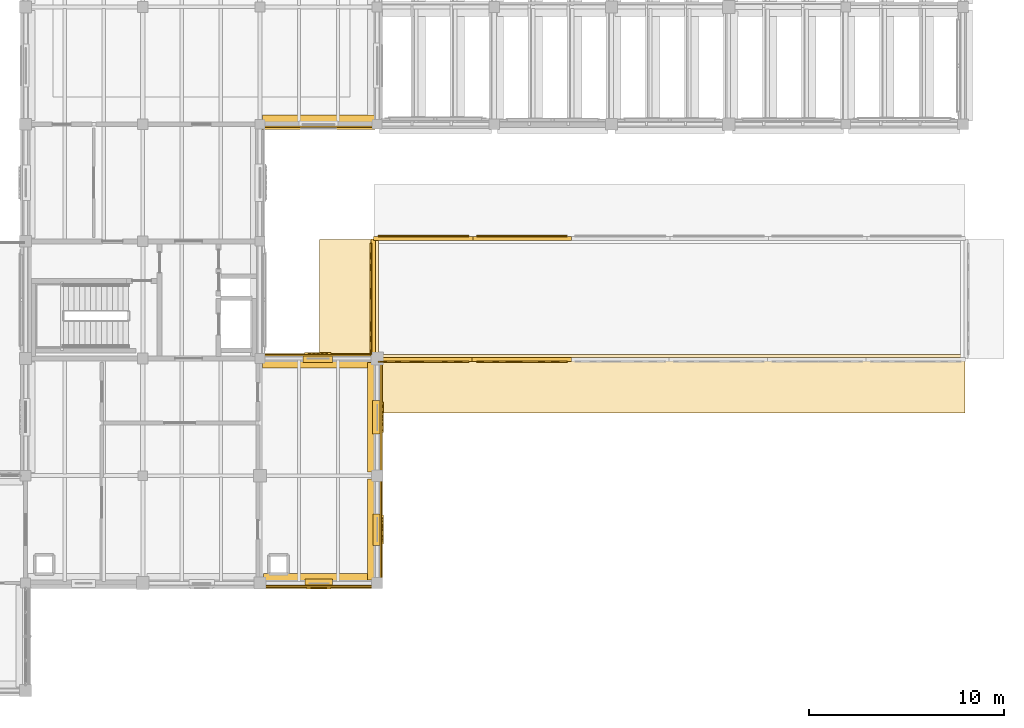
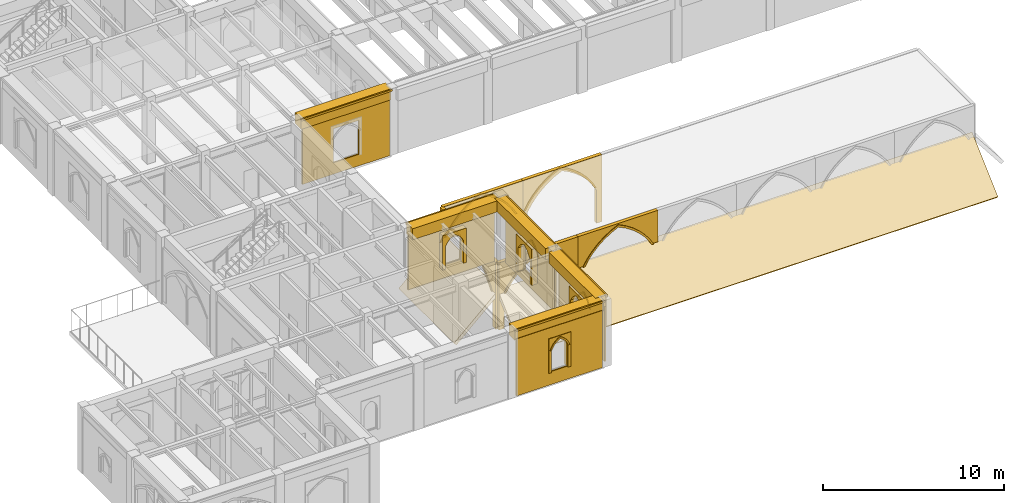
# One storey, part 121 of 127: 35 coverings.
"""IFC4 building model written with IfcOpenShell, lengths in metres."""

from ifc_helpers import new_model, si_unit, direction, frame, origin, origin_2d, place, context, subcontext, project, spatial, polyline, rectangle, outline, extrude, material, type_object, element, save


model = new_model("IFC4")

# Units and contexts
model_context = context("Model", 3, precision=1e-05, world=origin(), true_north=direction((0.0, 1.0)))
body_context = subcontext(model_context, "Body", "Model", "MODEL_VIEW")
ifc_project = project(units=[si_unit("LENGTHUNIT", "METRE"), si_unit("AREAUNIT", "SQUARE_METRE"), si_unit("VOLUMEUNIT", "CUBIC_METRE"), si_unit("PLANEANGLEUNIT", "RADIAN"), si_unit("MASSUNIT", "GRAM", prefix="KILO")], contexts=[model_context])

# Site, building, storey
site_placement = place(None, origin())
site = spatial("IfcSite", under=ifc_project, at=site_placement, CompositionType="ELEMENT")
building_placement = place(site_placement, origin())
building = spatial("IfcBuilding", under=site, at=building_placement, Name="Cumevento Cable Car Station", CompositionType="ELEMENT")
storey_placement = place(building_placement, frame((0.0, 0.0, 4.5)))
storey = spatial("IfcBuildingStorey", under=building, at=storey_placement, Name="L02", CompositionType="ELEMENT", Elevation=4.5)

# Coverings
ifc_material = material(Name="Gnaisse Facoidal Stone Ashlar 85 MPa", Category="masonry")
covering_type = type_object("IfcCoveringType", Name="Gnaisse Ashlar Cladding CV-CL01", PredefinedType="CLADDING", material=ifc_material)
covering_1_placement = place(storey_placement, frame((133.012451171875, 9.64990234375, 3.7490234375), z_axis=(0.0, 0.0, 1.0), x_axis=(-1.0, 0.0, 0.0)))
element("IfcCovering", 1, at=covering_1_placement, inside=storey, type_object=covering_type, Name="Gothic Stone Spandrel Stringcourse sc:0440", PredefinedType="CLADDING", context=body_context, shape_type="SweptSolid", body=[
    extrude(rectangle(XDim=5.6650390625, YDim=0.659912109375, at=origin_2d()), origin(), (0.0, 0.0, 1.0), 0.7470703125),
])
covering_2_placement = place(storey_placement, frame((133.012451171875, 9.29248046875, 4.365966796875), z_axis=(0.0, 0.0, 1.0), x_axis=(-1.0, 0.0, 0.0)))
element("IfcCovering", 2, at=covering_2_placement, inside=storey, type_object=covering_type, Name="Gothic Cornice Dripstone Lip sc:0440", PredefinedType="CLADDING", context=body_context, shape_type="SweptSolid", body=[
    extrude(rectangle(XDim=5.705078125, YDim=0.114990234375, at=origin_2d()), origin(), (0.0, 0.0, 1.0), 0.1298828125),
])
covering_3_placement = place(storey_placement, frame((132.96240234375, 20.85009765625, 3.737060546875), z_axis=(0.0, 0.0, 1.0), x_axis=(1.0, 0.0, 0.0)))
element("IfcCovering", 3, at=covering_3_placement, inside=storey, type_object=covering_type, Name="Gothic Stone Spandrel Stringcourse sc:0441", PredefinedType="CLADDING", context=body_context, shape_type="SweptSolid", body=[
    extrude(rectangle(XDim=5.6650390625, YDim=0.659912109375, at=origin_2d()), origin(), (0.0, 0.0, 1.0), 0.7470703125),
])
covering_4_placement = place(storey_placement, frame((132.96240234375, 21.20751953125, 4.35400390625), z_axis=(0.0, 0.0, 1.0), x_axis=(1.0, 0.0, 0.0)))
element("IfcCovering", 4, at=covering_4_placement, inside=storey, type_object=covering_type, Name="Gothic Cornice Dripstone Lip sc:0441", PredefinedType="CLADDING", context=body_context, shape_type="SweptSolid", body=[
    extrude(rectangle(XDim=5.705078125, YDim=0.114990234375, at=origin_2d()), origin(), (0.0, 0.0, 1.0), 0.1298828125),
])
covering_5_placement = place(storey_placement, frame((135.85009765625, 12.237548828125, 3.7490234375), z_axis=(0.0, 0.0, 1.0), x_axis=(0.0, -1.0, 0.0)))
element("IfcCovering", 5, at=covering_5_placement, inside=storey, type_object=covering_type, Name="Gothic Stone Spandrel Stringcourse sc:0443", PredefinedType="CLADDING", context=body_context, shape_type="SweptSolid", body=[
    extrude(rectangle(XDim=5.1650390625, YDim=0.659912109375, at=origin_2d()), origin(), (0.0, 0.0, 1.0), 0.7470703125),
])
covering_6_placement = place(storey_placement, frame((136.20751953125, 12.237548828125, 4.365966796875), z_axis=(0.0, 0.0, 1.0), x_axis=(0.0, -1.0, 0.0)))
element("IfcCovering", 6, at=covering_6_placement, inside=storey, type_object=covering_type, Name="Gothic Cornice Dripstone Lip sc:0443", PredefinedType="CLADDING", context=body_context, shape_type="SweptSolid", body=[
    extrude(rectangle(XDim=5.205078125, YDim=0.114990234375, at=origin_2d()), origin(), (0.0, 0.0, 1.0), 0.1298828125),
])
covering_7_placement = place(storey_placement, frame((135.85009765625, 17.987548828125, 3.7490234375), z_axis=(0.0, 0.0, 1.0), x_axis=(0.0, -1.0, 0.0)))
element("IfcCovering", 7, at=covering_7_placement, inside=storey, type_object=covering_type, Name="Gothic Stone Spandrel Stringcourse sc:0444", PredefinedType="CLADDING", context=body_context, shape_type="SweptSolid", body=[
    extrude(rectangle(XDim=5.614990234375, YDim=0.659912109375, at=origin_2d()), origin(), (0.0, 0.0, 1.0), 0.7470703125),
])
covering_8_placement = place(storey_placement, frame((136.20751953125, 17.987548828125, 4.365966796875), z_axis=(0.0, 0.0, 1.0), x_axis=(0.0, -1.0, 0.0)))
element("IfcCovering", 8, at=covering_8_placement, inside=storey, type_object=covering_type, Name="Gothic Cornice Dripstone Lip sc:0444", PredefinedType="CLADDING", context=body_context, shape_type="SweptSolid", body=[
    extrude(rectangle(XDim=5.655029296875, YDim=0.114990234375, at=origin_2d()), origin(), (0.0, 0.0, 1.0), 0.1298828125),
])
covering_9_placement = place(storey_placement, frame((133.0, 33.14990234375, 3.718017578125), z_axis=(0.0, 0.0, 1.0), x_axis=(-1.0, 0.0, 0.0)))
element("IfcCovering", 9, at=covering_9_placement, inside=storey, type_object=covering_type, Name="Gothic Stone Spandrel Stringcourse sc:0449", PredefinedType="CLADDING", context=body_context, shape_type="SweptSolid", body=[
    extrude(rectangle(XDim=5.739990234375, YDim=0.659912109375, at=origin_2d()), origin(), (0.0, 0.0, 1.0), 0.7470703125),
])
covering_10_placement = place(storey_placement, frame((133.0, 32.79248046875, 4.3349609375), z_axis=(0.0, 0.0, 1.0), x_axis=(-1.0, 0.0, 0.0)))
element("IfcCovering", 10, at=covering_10_placement, inside=storey, type_object=covering_type, Name="Gothic Cornice Dripstone Lip sc:0449", PredefinedType="CLADDING", context=body_context, shape_type="SweptSolid", body=[
    extrude(rectangle(XDim=5.780029296875, YDim=0.114990234375, at=origin_2d()), origin(), (0.0, 0.0, 1.0), 0.1298828125),
])
covering_11_placement = place(storey_placement, frame((135.72509765625, 9.5, 0.0), z_axis=(0.0, 0.0, 1.0), x_axis=(-1.0, 0.0, 0.0)))
element("IfcCovering", 11, at=covering_11_placement, inside=storey, type_object=covering_type, Name="Exterior Gnaisse Stone Wall Ashlar #204", PredefinedType="CLADDING", context=body_context, shape_type="SweptSolid", body=[
    extrude(outline(polyline([(-0.0400390625, -0.02001953125), (5.465087890625, -0.02001953125), (5.465087890625, 3.8291015625), (-0.0400390625, 3.8291015625), (-0.0400390625, -0.02001953125)]), holes=[polyline([(2.197509765625, 0.860107421875), (3.2275390625, 0.860107421875), (3.2275390625, 2.889892578125), (2.197509765625, 2.889892578125), (2.197509765625, 0.860107421875)])]), frame((0.0, 0.20751953125, 0.0), z_axis=(0.0, -1.0, 0.0), x_axis=(1.0, 0.0, 0.0)), (0.0, 0.0, 1.0), 0.0849609375),
])
covering_12_placement = place(storey_placement, frame((133.677490234375, 9.5, 0.800048828125), z_axis=(0.0, 0.0, 1.0), x_axis=(-1.0, 0.0, 0.0)))
element("IfcCovering", 12, at=covering_12_placement, inside=storey, type_object=covering_type, Name="Gothic Ogival Pointed-Arch Stone Spandrel op_ogival:0204:1", PredefinedType="CLADDING", context=body_context, shape_type="SweptSolid", body=[
    extrude(outline(polyline([(-0.0400390625, 0.0), (-0.0400390625, 2.320068359375), (1.3701171875, 2.320068359375), (1.3701171875, 0.0), (1.18994140625, 0.0), (1.18994140625, 1.52587890625), (1.1474609375, 1.63671875), (1.0927734375, 1.74169921875), (1.026611328125, 1.839599609375), (0.94970703125, 1.9296875), (0.863037109375, 2.010498046875), (0.767578125, 2.080810546875), (0.6650390625, 2.139892578125), (0.5625, 2.080810546875), (0.467041015625, 2.010498046875), (0.38037109375, 1.9296875), (0.303466796875, 1.839599609375), (0.2373046875, 1.74169921875), (0.1826171875, 1.63671875), (0.139892578125, 1.52587890625), (0.139892578125, 0.0), (-0.0400390625, 0.0)])), frame((0.0, 0.24560546875, 0.0), z_axis=(0.0, -1.0, 0.0), x_axis=(1.0, 0.0, 0.0)), (0.0, 0.0, 1.0), 0.445068359375),
])
covering_13_placement = place(storey_placement, frame((133.677490234375, 9.5, 2.325927734375), z_axis=(0.0, 0.0, 1.0), x_axis=(-1.0, 0.0, 0.0)))
element("IfcCovering", 13, at=covering_13_placement, inside=storey, type_object=covering_type, Name="Gothic Pointed Archivolt Hood Moulding op_ogival:0204:1", PredefinedType="CLADDING", context=body_context, shape_type="SweptSolid", body=[
    extrude(outline(polyline([(0.139892578125, 0.0), (0.1826171875, 0.110595703125), (0.2373046875, 0.215576171875), (0.303466796875, 0.313720703125), (0.38037109375, 0.40380859375), (0.467041015625, 0.484375), (0.5625, 0.554931640625), (0.6650390625, 0.614013671875), (0.767578125, 0.554931640625), (0.863037109375, 0.484375), (0.94970703125, 0.40380859375), (1.026611328125, 0.313720703125), (1.0927734375, 0.215576171875), (1.1474609375, 0.110595703125), (1.18994140625, 0.0), (1.2890625, 0.0), (1.2392578125, 0.132568359375), (1.174560546875, 0.2587890625), (1.095947265625, 0.376708984375), (1.00439453125, 0.48486328125), (0.901123046875, 0.58203125), (0.78759765625, 0.66650390625), (0.6650390625, 0.73779296875), (0.54248046875, 0.66650390625), (0.428955078125, 0.58203125), (0.32568359375, 0.48486328125), (0.234130859375, 0.376708984375), (0.155517578125, 0.2587890625), (0.0908203125, 0.132568359375), (0.041015625, 0.0), (0.139892578125, 0.0)])), frame((0.0, 0.28759765625, 0.0), z_axis=(0.0, -1.0, 0.0), x_axis=(1.0, 0.0, 0.0)), (0.0, 0.0, 1.0), 0.06689453125),
])
covering_14_placement = place(storey_placement, frame((130.25, 21.0, 0.0), z_axis=(0.0, 0.0, 1.0), x_axis=(1.0, 0.0, 0.0)))
element("IfcCovering", 14, at=covering_14_placement, inside=storey, type_object=covering_type, Name="Exterior Gnaisse Stone Wall Ashlar #205", PredefinedType="CLADDING", context=body_context, shape_type="SweptSolid", body=[
    extrude(outline(polyline([(-0.0400390625, -0.02001953125), (5.465087890625, -0.02001953125), (5.465087890625, 3.81689453125), (-0.0400390625, 3.81689453125), (-0.0400390625, -0.02001953125)]), holes=[polyline([(2.1474609375, 0.860107421875), (3.277587890625, 0.860107421875), (3.277587890625, 2.889892578125), (2.1474609375, 2.889892578125), (2.1474609375, 0.860107421875)])]), frame((0.0, 0.215087890625, 0.0), z_axis=(0.0, -1.0, 0.0), x_axis=(1.0, 0.0, 0.0)), (0.0, 0.0, 1.0), 0.0849609375),
])
covering_15_placement = place(storey_placement, frame((132.24755859375, 21.0, 0.800048828125), z_axis=(0.0, 0.0, 1.0), x_axis=(1.0, 0.0, 0.0)))
element("IfcCovering", 15, at=covering_15_placement, inside=storey, type_object=covering_type, Name="Gothic Ogival Pointed-Arch Stone Spandrel op_ogival:0205:1", PredefinedType="CLADDING", context=body_context, shape_type="SweptSolid", body=[
    extrude(outline(polyline([(-0.0400390625, 0.0), (-0.0400390625, 2.320068359375), (1.469970703125, 2.320068359375), (1.469970703125, 0.0), (1.2900390625, 0.0), (1.2900390625, 1.52587890625), (1.23876953125, 1.6376953125), (1.17578125, 1.743408203125), (1.101806640625, 1.841796875), (1.017578125, 1.931396484375), (0.92431640625, 2.01171875), (0.8232421875, 2.081298828125), (0.715087890625, 2.139892578125), (0.606689453125, 2.081298828125), (0.505615234375, 2.01171875), (0.412353515625, 1.931396484375), (0.328125, 1.841796875), (0.254150390625, 1.743408203125), (0.191162109375, 1.6376953125), (0.139892578125, 1.52587890625), (0.139892578125, 0.0), (-0.0400390625, 0.0)])), frame((0.0, 0.2529296875, 0.0), z_axis=(0.0, -1.0, 0.0), x_axis=(1.0, 0.0, 0.0)), (0.0, 0.0, 1.0), 0.4599609375),
])
covering_16_placement = place(storey_placement, frame((132.24755859375, 21.0, 2.325927734375), z_axis=(0.0, 0.0, 1.0), x_axis=(1.0, 0.0, 0.0)))
element("IfcCovering", 16, at=covering_16_placement, inside=storey, type_object=covering_type, Name="Gothic Pointed Archivolt Hood Moulding op_ogival:0205:1", PredefinedType="CLADDING", context=body_context, shape_type="SweptSolid", body=[
    extrude(outline(polyline([(0.139892578125, 0.0), (0.191162109375, 0.11181640625), (0.254150390625, 0.217529296875), (0.328125, 0.315673828125), (0.412353515625, 0.405517578125), (0.505615234375, 0.48583984375), (0.606689453125, 0.555419921875), (0.715087890625, 0.614013671875), (0.8232421875, 0.555419921875), (0.92431640625, 0.48583984375), (1.017578125, 0.405517578125), (1.101806640625, 0.315673828125), (1.17578125, 0.217529296875), (1.23876953125, 0.11181640625), (1.2900390625, 0.0), (1.388916015625, 0.0), (1.330322265625, 0.134033203125), (1.25732421875, 0.2607421875), (1.171142578125, 0.378662109375), (1.072509765625, 0.486572265625), (0.962646484375, 0.583251953125), (0.843017578125, 0.667236328125), (0.715087890625, 0.73779296875), (0.5869140625, 0.667236328125), (0.46728515625, 0.583251953125), (0.357421875, 0.486572265625), (0.2587890625, 0.378662109375), (0.172607421875, 0.2607421875), (0.099609375, 0.134033203125), (0.041015625, 0.0), (0.139892578125, 0.0)])), frame((0.0, 0.294921875, 0.0), z_axis=(0.0, -1.0, 0.0), x_axis=(1.0, 0.0, 0.0)), (0.0, 0.0, 1.0), 0.06689453125),
])
covering_17_placement = place(storey_placement, frame((136.0, 14.699951171875, 0.0), z_axis=(0.0, 0.0, 1.0), x_axis=(0.0, -1.0, 0.0)))
element("IfcCovering", 17, at=covering_17_placement, inside=storey, type_object=covering_type, Name="Exterior Gnaisse Stone Wall Ashlar #206", PredefinedType="CLADDING", context=body_context, shape_type="SweptSolid", body=[
    extrude(outline(polyline([(-0.0400390625, -0.02001953125), (4.965087890625, -0.02001953125), (4.965087890625, 3.8291015625), (-0.0400390625, 3.8291015625), (-0.0400390625, -0.02001953125)]), holes=[polyline([(1.847412109375, 0.81005859375), (3.077392578125, 0.81005859375), (3.077392578125, 2.93994140625), (1.847412109375, 2.93994140625), (1.847412109375, 0.81005859375)])]), frame((0.0, 0.222412109375, 0.0), z_axis=(0.0, -1.0, 0.0), x_axis=(1.0, 0.0, 0.0)), (0.0, 0.0, 1.0), 0.0849609375),
])
covering_18_placement = place(storey_placement, frame((136.0, 13.00244140625, 0.75), z_axis=(0.0, 0.0, 1.0), x_axis=(0.0, -1.0, 0.0)))
element("IfcCovering", 18, at=covering_18_placement, inside=storey, type_object=covering_type, Name="Gothic Ogival Pointed-Arch Stone Spandrel op_ogival:0206:1", PredefinedType="CLADDING", context=body_context, shape_type="SweptSolid", body=[
    extrude(outline(polyline([(-0.0400390625, 0.0), (-0.0400390625, 2.419921875), (1.570068359375, 2.419921875), (1.570068359375, 0.0), (1.389892578125, 0.0), (1.389892578125, 1.597900390625), (1.332275390625, 1.71533203125), (1.262451171875, 1.826416015625), (1.181640625, 1.92919921875), (1.09033203125, 2.022705078125), (0.98974609375, 2.1064453125), (0.880859375, 2.17919921875), (0.764892578125, 2.239990234375), (0.649169921875, 2.17919921875), (0.540283203125, 2.1064453125), (0.439697265625, 2.022705078125), (0.348388671875, 1.92919921875), (0.267578125, 1.826416015625), (0.19775390625, 1.71533203125), (0.139892578125, 1.597900390625), (0.139892578125, 0.0), (-0.0400390625, 0.0)])), frame((0.0, 0.260498046875, 0.0), z_axis=(0.0, -1.0, 0.0), x_axis=(1.0, 0.0, 0.0)), (0.0, 0.0, 1.0), 0.47509765625),
])
covering_19_placement = place(storey_placement, frame((136.0, 13.00244140625, 2.347900390625), z_axis=(0.0, 0.0, 1.0), x_axis=(0.0, -1.0, 0.0)))
element("IfcCovering", 19, at=covering_19_placement, inside=storey, type_object=covering_type, Name="Gothic Pointed Archivolt Hood Moulding op_ogival:0206:1", PredefinedType="CLADDING", context=body_context, shape_type="SweptSolid", body=[
    extrude(outline(polyline([(0.139892578125, 0.0), (0.19775390625, 0.117431640625), (0.267578125, 0.228271484375), (0.348388671875, 0.3310546875), (0.439697265625, 0.4248046875), (0.540283203125, 0.508544921875), (0.649169921875, 0.5810546875), (0.764892578125, 0.64208984375), (0.880859375, 0.5810546875), (0.98974609375, 0.508544921875), (1.09033203125, 0.4248046875), (1.181640625, 0.3310546875), (1.262451171875, 0.228271484375), (1.332275390625, 0.117431640625), (1.389892578125, 0.0), (1.489013671875, 0.0), (1.423828125, 0.1396484375), (1.34423828125, 0.271484375), (1.2509765625, 0.39404296875), (1.14501953125, 0.505859375), (1.02783203125, 0.60595703125), (0.900634765625, 0.69287109375), (0.764892578125, 0.765869140625), (0.62939453125, 0.69287109375), (0.502197265625, 0.60595703125), (0.385009765625, 0.505859375), (0.279052734375, 0.39404296875), (0.185791015625, 0.271484375), (0.106201171875, 0.1396484375), (0.041015625, 0.0), (0.139892578125, 0.0)])), frame((0.0, 0.302490234375, 0.0), z_axis=(0.0, -1.0, 0.0), x_axis=(1.0, 0.0, 0.0)), (0.0, 0.0, 1.0), 0.06689453125),
])
covering_20_placement = place(storey_placement, frame((136.0, 20.675048828125, 0.0), z_axis=(0.0, 0.0, 1.0), x_axis=(0.0, -1.0, 0.0)))
element("IfcCovering", 20, at=covering_20_placement, inside=storey, type_object=covering_type, Name="Exterior Gnaisse Stone Wall Ashlar #208", PredefinedType="CLADDING", context=body_context, shape_type="SweptSolid", body=[
    extrude(outline(polyline([(-0.0400390625, -0.02001953125), (5.4150390625, -0.02001953125), (5.4150390625, 3.8291015625), (-0.0400390625, 3.8291015625), (-0.0400390625, -0.02001953125)]), holes=[polyline([(2.0224609375, 0.81005859375), (3.3525390625, 0.81005859375), (3.3525390625, 2.93994140625), (2.0224609375, 2.93994140625), (2.0224609375, 0.81005859375)])]), frame((0.0, 0.237548828125, 0.0), z_axis=(0.0, -1.0, 0.0), x_axis=(1.0, 0.0, 0.0)), (0.0, 0.0, 1.0), 0.0849609375),
])
covering_21_placement = place(storey_placement, frame((136.0, 18.802490234375, 0.75), z_axis=(0.0, 0.0, 1.0), x_axis=(0.0, -1.0, 0.0)))
element("IfcCovering", 21, at=covering_21_placement, inside=storey, type_object=covering_type, Name="Gothic Ogival Pointed-Arch Stone Spandrel op_ogival:0208:1", PredefinedType="CLADDING", context=body_context, shape_type="SweptSolid", body=[
    extrude(outline(polyline([(-0.0400390625, 0.0), (-0.0400390625, 2.419921875), (1.669921875, 2.419921875), (1.669921875, 0.0), (1.489990234375, 0.0), (1.489990234375, 1.597900390625), (1.423583984375, 1.71630859375), (1.345703125, 1.82763671875), (1.257080078125, 1.930419921875), (1.15869140625, 2.0244140625), (1.051513671875, 2.107421875), (0.9365234375, 2.179443359375), (0.81494140625, 2.239990234375), (0.693359375, 2.179443359375), (0.578369140625, 2.107421875), (0.47119140625, 2.0244140625), (0.372802734375, 1.930419921875), (0.2841796875, 1.82763671875), (0.206298828125, 1.71630859375), (0.139892578125, 1.597900390625), (0.139892578125, 0.0), (-0.0400390625, 0.0)])), frame((0.0, 0.275390625, 0.0), z_axis=(0.0, -1.0, 0.0), x_axis=(1.0, 0.0, 0.0)), (0.0, 0.0, 1.0), 0.5048828125),
])
covering_22_placement = place(storey_placement, frame((136.0, 18.802490234375, 2.347900390625), z_axis=(0.0, 0.0, 1.0), x_axis=(0.0, -1.0, 0.0)))
element("IfcCovering", 22, at=covering_22_placement, inside=storey, type_object=covering_type, Name="Gothic Pointed Archivolt Hood Moulding op_ogival:0208:1", PredefinedType="CLADDING", context=body_context, shape_type="SweptSolid", body=[
    extrude(outline(polyline([(0.139892578125, 0.0), (0.206298828125, 0.118408203125), (0.2841796875, 0.229736328125), (0.372802734375, 0.33251953125), (0.47119140625, 0.42626953125), (0.578369140625, 0.509521484375), (0.693359375, 0.58154296875), (0.81494140625, 0.64208984375), (0.9365234375, 0.58154296875), (1.051513671875, 0.509521484375), (1.15869140625, 0.42626953125), (1.257080078125, 0.33251953125), (1.345703125, 0.229736328125), (1.423583984375, 0.118408203125), (1.489990234375, 0.0), (1.589111328125, 0.0), (1.51513671875, 0.140625), (1.42724609375, 0.27294921875), (1.326416015625, 0.395751953125), (1.21337890625, 0.507568359375), (1.089599609375, 0.607177734375), (0.956298828125, 0.693359375), (0.81494140625, 0.765869140625), (0.673583984375, 0.693359375), (0.540283203125, 0.607177734375), (0.41650390625, 0.507568359375), (0.303466796875, 0.395751953125), (0.20263671875, 0.27294921875), (0.11474609375, 0.140625), (0.041015625, 0.0), (0.139892578125, 0.0)])), frame((0.0, 0.3173828125, 0.0), z_axis=(0.0, -1.0, 0.0), x_axis=(1.0, 0.0, 0.0)), (0.0, 0.0, 1.0), 0.06689453125),
])
covering_23_placement = place(storey_placement, frame((135.75, 33.0, 0.0), z_axis=(0.0, 0.0, 1.0), x_axis=(-1.0, 0.0, 0.0)))
element("IfcCovering", 23, at=covering_23_placement, inside=storey, type_object=covering_type, Name="Exterior Gnaisse Stone Wall Ashlar #213", PredefinedType="CLADDING", context=body_context, shape_type="SweptSolid", body=[
    extrude(outline(polyline([(-0.0400390625, -0.02001953125), (5.5400390625, -0.02001953125), (5.5400390625, 3.798095703125), (-0.0400390625, 3.798095703125), (-0.0400390625, -0.02001953125)]), holes=[polyline([(1.93505859375, 0.760009765625), (3.56494140625, 0.760009765625), (3.56494140625, 3.0400390625), (1.93505859375, 3.0400390625), (1.93505859375, 0.760009765625)])]), frame((0.0, 0.177490234375, 0.0), z_axis=(0.0, -1.0, 0.0), x_axis=(1.0, 0.0, 0.0)), (0.0, 0.0, 1.0), 0.0849609375),
])
covering_24_placement = place(storey_placement, frame((140.8916015625, 21.0, -4.52001953125), z_axis=(0.0, 0.0, 1.0), x_axis=(-1.0, 0.0, 0.0)))
element("IfcCovering", 24, at=covering_24_placement, inside=storey, type_object=covering_type, Name="Gothic Ogival Pointed-Arch Stone Spandrel cumevento_plinth:bank_arch:SLOPE_DEP_S1:S:0", PredefinedType="CLADDING", context=body_context, shape_type="SweptSolid", body=[
    extrude(outline(polyline([(-0.030029296875, 0.0), (-0.030029296875, 4.52001953125), (5.07177734375, 4.52001953125), (5.07177734375, 0.0), (4.7216796875, 0.0), (4.7216796875, 2.25), (4.4619140625, 2.690185546875), (4.1533203125, 3.097412109375), (3.7998046875, 3.466796875), (3.406494140625, 3.79296875), (2.978271484375, 4.072021484375), (2.520751953125, 4.300048828125), (2.0634765625, 4.072021484375), (1.63525390625, 3.79296875), (1.241943359375, 3.466796875), (0.888427734375, 3.097412109375), (0.579833984375, 2.690185546875), (0.320068359375, 2.25), (0.320068359375, 0.0), (-0.030029296875, 0.0)])), frame((0.0, 0.159912109375, 0.0), z_axis=(0.0, -1.0, 0.0), x_axis=(1.0, 0.0, 0.0)), (0.0, 0.0, 1.0), 0.219970703125),
])
covering_25_placement = place(storey_placement, frame((140.8916015625, 21.0, -2.27001953125), z_axis=(0.0, 0.0, 1.0), x_axis=(-1.0, 0.0, 0.0)))
element("IfcCovering", 25, at=covering_25_placement, inside=storey, type_object=covering_type, Name="Gothic Pointed Archivolt Hood Moulding cumevento_plinth:bank_arch:SLOPE_DEP_S1:S:0", PredefinedType="CLADDING", context=body_context, shape_type="SweptSolid", body=[
    extrude(outline(polyline([(0.320068359375, 0.0), (0.579833984375, 0.440185546875), (0.888427734375, 0.847412109375), (1.241943359375, 1.216796875), (1.63525390625, 1.54296875), (2.0634765625, 1.822021484375), (2.520751953125, 2.050048828125), (2.978271484375, 1.822021484375), (3.406494140625, 1.54296875), (3.7998046875, 1.216796875), (4.1533203125, 0.847412109375), (4.4619140625, 0.440185546875), (4.7216796875, 0.0), (4.8427734375, 0.0), (4.572021484375, 0.4716796875), (4.248291015625, 0.90869140625), (3.8759765625, 1.305419921875), (3.4599609375, 1.656005859375), (3.00634765625, 1.9560546875), (2.520751953125, 2.201171875), (2.035400390625, 1.9560546875), (1.581787109375, 1.656005859375), (1.165771484375, 1.305419921875), (0.79345703125, 0.90869140625), (0.4697265625, 0.4716796875), (0.198974609375, 0.0), (0.320068359375, 0.0)])), frame((0.0, 0.201904296875, 0.0), z_axis=(0.0, -1.0, 0.0), x_axis=(1.0, 0.0, 0.0)), (0.0, 0.0, 1.0), 0.06689453125),
])
covering_26_placement = place(storey_placement, frame((145.933349609375, 21.0, -4.52001953125), z_axis=(0.0, 0.0, 1.0), x_axis=(-1.0, 0.0, 0.0)))
element("IfcCovering", 26, at=covering_26_placement, inside=storey, type_object=covering_type, Name="Gothic Ogival Pointed-Arch Stone Spandrel cumevento_plinth:bank_arch:SLOPE_DEP_S1:S:1", PredefinedType="CLADDING", context=body_context, shape_type="SweptSolid", body=[
    extrude(outline(polyline([(-0.030029296875, 0.0), (-0.030029296875, 4.52001953125), (5.07177734375, 4.52001953125), (5.07177734375, 0.0), (4.7216796875, 0.0), (4.7216796875, 2.25), (4.4619140625, 2.690185546875), (4.1533203125, 3.097412109375), (3.7998046875, 3.466796875), (3.406494140625, 3.79296875), (2.978271484375, 4.072021484375), (2.520751953125, 4.300048828125), (2.0634765625, 4.072021484375), (1.63525390625, 3.79296875), (1.241943359375, 3.466796875), (0.888427734375, 3.097412109375), (0.579833984375, 2.690185546875), (0.320068359375, 2.25), (0.320068359375, 0.0), (-0.030029296875, 0.0)])), frame((0.0, 0.159912109375, 0.0), z_axis=(0.0, -1.0, 0.0), x_axis=(1.0, 0.0, 0.0)), (0.0, 0.0, 1.0), 0.219970703125),
])
covering_27_placement = place(storey_placement, frame((145.933349609375, 21.0, -2.27001953125), z_axis=(0.0, 0.0, 1.0), x_axis=(-1.0, 0.0, 0.0)))
element("IfcCovering", 27, at=covering_27_placement, inside=storey, type_object=covering_type, Name="Gothic Pointed Archivolt Hood Moulding cumevento_plinth:bank_arch:SLOPE_DEP_S1:S:1", PredefinedType="CLADDING", context=body_context, shape_type="SweptSolid", body=[
    extrude(outline(polyline([(0.320068359375, 0.0), (0.579833984375, 0.440185546875), (0.888427734375, 0.847412109375), (1.241943359375, 1.216796875), (1.63525390625, 1.54296875), (2.0634765625, 1.822021484375), (2.520751953125, 2.050048828125), (2.978271484375, 1.822021484375), (3.406494140625, 1.54296875), (3.7998046875, 1.216796875), (4.1533203125, 0.847412109375), (4.4619140625, 0.440185546875), (4.7216796875, 0.0), (4.8427734375, 0.0), (4.572021484375, 0.4716796875), (4.248291015625, 0.90869140625), (3.8759765625, 1.305419921875), (3.4599609375, 1.656005859375), (3.00634765625, 1.9560546875), (2.520751953125, 2.201171875), (2.035400390625, 1.9560546875), (1.581787109375, 1.656005859375), (1.165771484375, 1.305419921875), (0.79345703125, 0.90869140625), (0.4697265625, 0.4716796875), (0.198974609375, 0.0), (0.320068359375, 0.0)])), frame((0.0, 0.201904296875, 0.0), z_axis=(0.0, -1.0, 0.0), x_axis=(1.0, 0.0, 0.0)), (0.0, 0.0, 1.0), 0.06689453125),
])
covering_28_placement = place(storey_placement, frame((135.85009765625, 18.199951171875, -4.5400390625), z_axis=(0.0, -0.676450238198, 0.736488340194), x_axis=(1.0, 0.0, 0.0)))
element("IfcCovering", 28, at=covering_28_placement, inside=storey, type_object=covering_type, Name="Sloped Gnaisse Hillside Talus SLOPE_DEP_S1 S", PredefinedType="CLADDING", context=body_context, shape_type="SweptSolid", body=[
    extrude(outline(polyline([(0.0, 0.0), (30.25, 0.0), (30.25, 3.8834388350547924), (0.0, 3.8834388350547924), (0.0, 0.0)])), origin(), (0.0, 0.0, -1.0), 0.219970703125),
])
covering_29_placement = place(storey_placement, frame((140.8916015625, 27.10009765625, -4.52001953125), z_axis=(0.0, 0.0, 1.0), x_axis=(1.0, 0.0, 0.0)))
element("IfcCovering", 29, at=covering_29_placement, inside=storey, type_object=covering_type, Name="Gothic Ogival Pointed-Arch Stone Spandrel cumevento_plinth:bank_arch:SLOPE_DEP_S1:N:4", PredefinedType="CLADDING", context=body_context, shape_type="SweptSolid", body=[
    extrude(outline(polyline([(-0.030029296875, 0.0), (-0.030029296875, 4.52001953125), (5.07177734375, 4.52001953125), (5.07177734375, 0.0), (4.7216796875, 0.0), (4.7216796875, 2.25), (4.4619140625, 2.690185546875), (4.1533203125, 3.097412109375), (3.7998046875, 3.466796875), (3.406494140625, 3.79296875), (2.978271484375, 4.072021484375), (2.520751953125, 4.300048828125), (2.0634765625, 4.072021484375), (1.63525390625, 3.79296875), (1.241943359375, 3.466796875), (0.888427734375, 3.097412109375), (0.579833984375, 2.690185546875), (0.320068359375, 2.25), (0.320068359375, 0.0), (-0.030029296875, 0.0)])), frame((0.0, 0.159912109375, 0.0), z_axis=(0.0, -1.0, 0.0), x_axis=(1.0, 0.0, 0.0)), (0.0, 0.0, 1.0), 0.219970703125),
])
covering_30_placement = place(storey_placement, frame((140.8916015625, 27.10009765625, -2.27001953125), z_axis=(0.0, 0.0, 1.0), x_axis=(1.0, 0.0, 0.0)))
element("IfcCovering", 30, at=covering_30_placement, inside=storey, type_object=covering_type, Name="Gothic Pointed Archivolt Hood Moulding cumevento_plinth:bank_arch:SLOPE_DEP_S1:N:4", PredefinedType="CLADDING", context=body_context, shape_type="SweptSolid", body=[
    extrude(outline(polyline([(0.320068359375, 0.0), (0.579833984375, 0.440185546875), (0.888427734375, 0.847412109375), (1.241943359375, 1.216796875), (1.63525390625, 1.54296875), (2.0634765625, 1.822021484375), (2.520751953125, 2.050048828125), (2.978271484375, 1.822021484375), (3.406494140625, 1.54296875), (3.7998046875, 1.216796875), (4.1533203125, 0.847412109375), (4.4619140625, 0.440185546875), (4.7216796875, 0.0), (4.8427734375, 0.0), (4.572021484375, 0.4716796875), (4.248291015625, 0.90869140625), (3.8759765625, 1.305419921875), (3.4599609375, 1.656005859375), (3.00634765625, 1.9560546875), (2.520751953125, 2.201171875), (2.035400390625, 1.9560546875), (1.581787109375, 1.656005859375), (1.165771484375, 1.305419921875), (0.79345703125, 0.90869140625), (0.4697265625, 0.4716796875), (0.198974609375, 0.0), (0.320068359375, 0.0)])), frame((0.0, 0.201904296875, 0.0), z_axis=(0.0, -1.0, 0.0), x_axis=(1.0, 0.0, 0.0)), (0.0, 0.0, 1.0), 0.06689453125),
])
covering_31_placement = place(storey_placement, frame((135.85009765625, 27.10009765625, -4.52001953125), z_axis=(0.0, 0.0, 1.0), x_axis=(1.0, 0.0, 0.0)))
element("IfcCovering", 31, at=covering_31_placement, inside=storey, type_object=covering_type, Name="Gothic Ogival Pointed-Arch Stone Spandrel cumevento_plinth:bank_arch:SLOPE_DEP_S1:N:5", PredefinedType="CLADDING", context=body_context, shape_type="SweptSolid", body=[
    extrude(outline(polyline([(-0.030029296875, 0.0), (-0.030029296875, 4.52001953125), (5.07177734375, 4.52001953125), (5.07177734375, 0.0), (4.7216796875, 0.0), (4.7216796875, 2.25), (4.4619140625, 2.690185546875), (4.1533203125, 3.097412109375), (3.7998046875, 3.466796875), (3.406494140625, 3.79296875), (2.978271484375, 4.072021484375), (2.520751953125, 4.300048828125), (2.0634765625, 4.072021484375), (1.63525390625, 3.79296875), (1.241943359375, 3.466796875), (0.888427734375, 3.097412109375), (0.579833984375, 2.690185546875), (0.320068359375, 2.25), (0.320068359375, 0.0), (-0.030029296875, 0.0)])), frame((0.0, 0.159912109375, 0.0), z_axis=(0.0, -1.0, 0.0), x_axis=(1.0, 0.0, 0.0)), (0.0, 0.0, 1.0), 0.219970703125),
])
covering_32_placement = place(storey_placement, frame((135.85009765625, 27.10009765625, -2.27001953125), z_axis=(0.0, 0.0, 1.0), x_axis=(1.0, 0.0, 0.0)))
element("IfcCovering", 32, at=covering_32_placement, inside=storey, type_object=covering_type, Name="Gothic Pointed Archivolt Hood Moulding cumevento_plinth:bank_arch:SLOPE_DEP_S1:N:5", PredefinedType="CLADDING", context=body_context, shape_type="SweptSolid", body=[
    extrude(outline(polyline([(0.320068359375, 0.0), (0.579833984375, 0.440185546875), (0.888427734375, 0.847412109375), (1.241943359375, 1.216796875), (1.63525390625, 1.54296875), (2.0634765625, 1.822021484375), (2.520751953125, 2.050048828125), (2.978271484375, 1.822021484375), (3.406494140625, 1.54296875), (3.7998046875, 1.216796875), (4.1533203125, 0.847412109375), (4.4619140625, 0.440185546875), (4.7216796875, 0.0), (4.8427734375, 0.0), (4.572021484375, 0.4716796875), (4.248291015625, 0.90869140625), (3.8759765625, 1.305419921875), (3.4599609375, 1.656005859375), (3.00634765625, 1.9560546875), (2.520751953125, 2.201171875), (2.035400390625, 1.9560546875), (1.581787109375, 1.656005859375), (1.165771484375, 1.305419921875), (0.79345703125, 0.90869140625), (0.4697265625, 0.4716796875), (0.198974609375, 0.0), (0.320068359375, 0.0)])), frame((0.0, 0.201904296875, 0.0), z_axis=(0.0, -1.0, 0.0), x_axis=(1.0, 0.0, 0.0)), (0.0, 0.0, 1.0), 0.06689453125),
])
covering_33_placement = place(storey_placement, frame((135.85009765625, 21.0, -4.52001953125), z_axis=(0.0, 0.0, 1.0), x_axis=(0.0, 1.0, 0.0)))
element("IfcCovering", 33, at=covering_33_placement, inside=storey, type_object=covering_type, Name="Gothic Ogival Pointed-Arch Stone Spandrel cumevento_plinth:bank_arch:SLOPE_DEP_S1:W:0", PredefinedType="CLADDING", context=body_context, shape_type="SweptSolid", body=[
    extrude(outline(polyline([(-0.030029296875, 0.0), (-0.030029296875, 4.52001953125), (6.1298828125, 4.52001953125), (6.1298828125, 0.0), (5.780029296875, 0.0), (5.780029296875, 2.25), (5.417236328125, 2.698974609375), (5.011962890625, 3.10986328125), (4.568115234375, 3.478759765625), (4.090087890625, 3.802001953125), (3.582275390625, 4.07666015625), (3.050048828125, 4.300048828125), (2.517822265625, 4.07666015625), (2.010009765625, 3.802001953125), (1.531982421875, 3.478759765625), (1.088134765625, 3.10986328125), (0.682861328125, 2.698974609375), (0.320068359375, 2.25), (0.320068359375, 0.0), (-0.030029296875, 0.0)])), frame((0.0, 0.159912109375, 0.0), z_axis=(0.0, -1.0, 0.0), x_axis=(1.0, 0.0, 0.0)), (0.0, 0.0, 1.0), 0.219970703125),
])
covering_34_placement = place(storey_placement, frame((135.85009765625, 21.0, -2.27001953125), z_axis=(0.0, 0.0, 1.0), x_axis=(0.0, 1.0, 0.0)))
element("IfcCovering", 34, at=covering_34_placement, inside=storey, type_object=covering_type, Name="Gothic Pointed Archivolt Hood Moulding cumevento_plinth:bank_arch:SLOPE_DEP_S1:W:0", PredefinedType="CLADDING", context=body_context, shape_type="SweptSolid", body=[
    extrude(outline(polyline([(0.320068359375, 0.0), (0.682861328125, 0.448974609375), (1.088134765625, 0.85986328125), (1.531982421875, 1.228759765625), (2.010009765625, 1.552001953125), (2.517822265625, 1.82666015625), (3.050048828125, 2.050048828125), (3.582275390625, 1.82666015625), (4.090087890625, 1.552001953125), (4.568115234375, 1.228759765625), (5.011962890625, 0.85986328125), (5.417236328125, 0.448974609375), (5.780029296875, 0.0), (5.90087890625, 0.0), (5.52685546875, 0.48095703125), (5.106201171875, 0.921630859375), (4.643310546875, 1.31787109375), (4.142822265625, 1.66552734375), (3.610107421875, 1.9609375), (3.050048828125, 2.201171875), (2.489990234375, 1.9609375), (1.957275390625, 1.66552734375), (1.456787109375, 1.31787109375), (0.993896484375, 0.921630859375), (0.5732421875, 0.48095703125), (0.198974609375, 0.0), (0.320068359375, 0.0)])), frame((0.0, 0.201904296875, 0.0), z_axis=(0.0, -1.0, 0.0), x_axis=(1.0, 0.0, 0.0)), (0.0, 0.0, 1.0), 0.06689453125),
])
covering_35_placement = place(storey_placement, frame((133.050048828125, 27.10009765625, -4.5400390625), z_axis=(-0.676481559293, 0.0, 0.736459571149), x_axis=(0.0, -1.0, 0.0)))
element("IfcCovering", 35, at=covering_35_placement, inside=storey, type_object=covering_type, Name="Sloped Gnaisse Hillside Talus SLOPE_DEP_S1 W", PredefinedType="CLADDING", context=body_context, shape_type="SweptSolid", body=[
    extrude(outline(polyline([(0.0, 0.0), (6.10009765625, 0.0), (6.10009765625, 3.8832590318428775), (0.0, 3.8832590318428775), (0.0, 0.0)])), origin(), (0.0, 0.0, -1.0), 0.219970703125),
])

save(model, "model.ifc")
